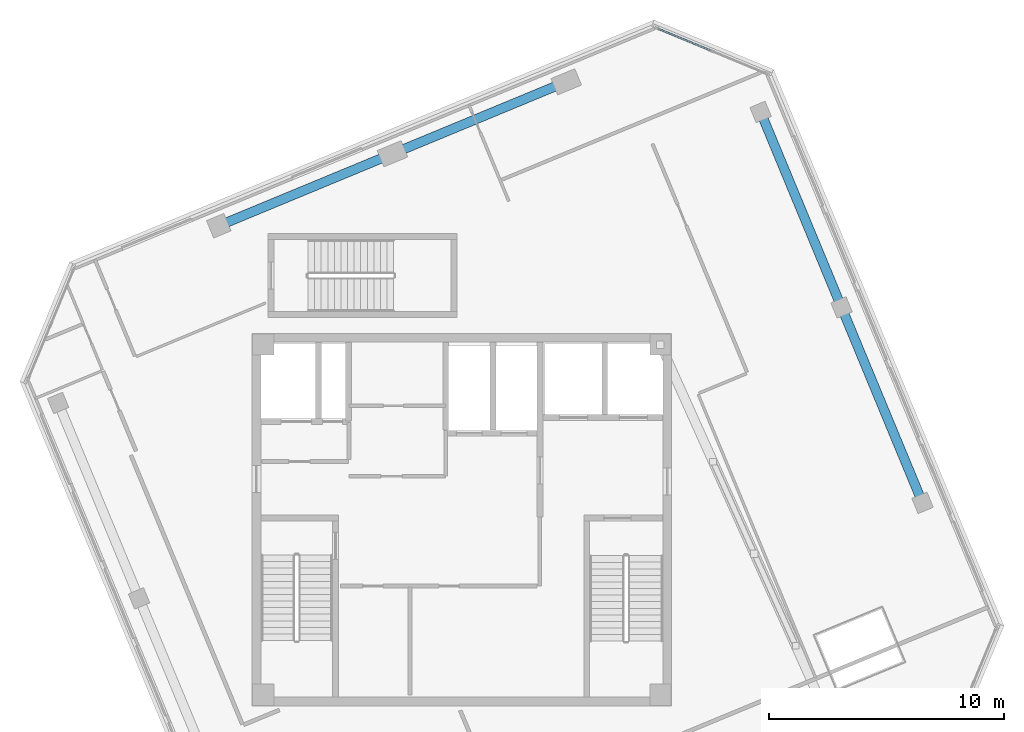
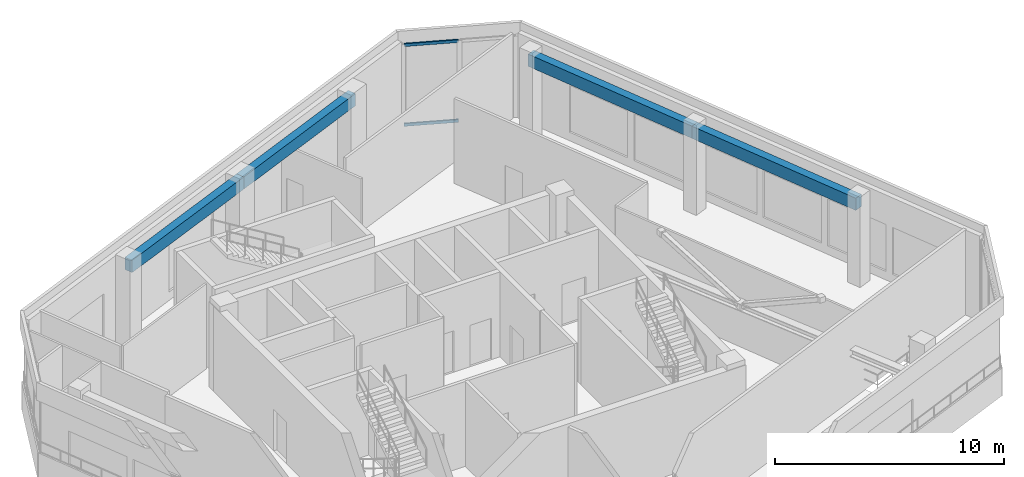
# One storey, part 6 of 17: 4 beams, 2 members, 1 element without a shape of its own.
"""IFC4 building model written with IfcOpenShell, lengths in metres."""

from ifc_helpers import new_model, si_unit, direction, frame, origin, origin_2d, place, context, subcontext, project, spatial, rectangle, hollow_rectangle, extrude, source, transform, mapped, material, material_profile, profile_set, type_object, element, aggregate, save


model = new_model("IFC4")

# Units and contexts
model_context = context("Model", 3, precision=1e-05, world=origin(), true_north=direction((0.0, 1.0)))
body_context = subcontext(model_context, "Body", "Model", "MODEL_VIEW")
ifc_project = project(units=[si_unit("LENGTHUNIT", "METRE"), si_unit("AREAUNIT", "SQUARE_METRE"), si_unit("VOLUMEUNIT", "CUBIC_METRE"), si_unit("PLANEANGLEUNIT", "RADIAN"), si_unit("MASSUNIT", "GRAM", prefix="KILO")], contexts=[model_context])

# Site, building, storey
site_placement = place(None, origin())
site = spatial("IfcSite", under=ifc_project, at=site_placement, CompositionType="ELEMENT")
building_placement = place(site_placement, origin())
building = spatial("IfcBuilding", under=site, at=building_placement, Name="Torre Montelarca", CompositionType="ELEMENT")
storey_placement = place(building_placement, frame((0.0, 0.0, 355.199951171875)))
storey = spatial("IfcBuildingStorey", under=building, at=storey_placement, Name="L80", CompositionType="ELEMENT", Elevation=355.199951171875)

# Beams
ifc_material_1 = material(Name="Concrete C40/50", Category="concrete")
ifc_material_profile_1 = material_profile(ifc_material_1, rectangle(XDim=0.39990234375, YDim=0.64990234375, at=origin_2d()), Name="RCB400X650", Category="concrete")
ifc_profile_set_1 = profile_set([ifc_material_profile_1], Name="Concrete C40/50")
beam_type = type_object("IfcBeamType", Name="BM-SP-RC650-EXT", PredefinedType="SPANDREL", material=ifc_profile_set_1)
shared_shape_1 = source(origin(), body_context, "Body", "SweptSolid", [
    extrude(rectangle(XDim=0.39990234375, YDim=0.64990234375, at=origin_2d()), origin(), (0.0, 0.0, 1.0), 9.0),
])
for number, where, z_axis, x_axis, name in (
    (1, (30.713134765625, 49.34619140625, 4.195068359375), (0.382699975578, -0.923872679915, 0.0), (0.923872679915, 0.382699975578, 0.0), "L80 Grid Girder X 9.0-18.0 at Y=47.1"),
    (2, (34.157470703125, 41.03125, 4.195068359375), (0.382676821686, -0.923882270716, 0.0), (0.923882270716, 0.382676821686, 0.0), "L80 Grid Girder X 18.0-27.0 at Y=47.1"),
):
    element("IfcBeam", number, at=place(storey_placement, frame(where, z_axis=z_axis, x_axis=x_axis)), inside=storey, type_object=beam_type, Name=name, PredefinedType="SPANDREL", context=body_context, shape_type="MappedRepresentation", body=[
        mapped(shared_shape_1, transform((0.0, 0.0, 0.0), scale=1.0)),
    ])
shared_shape_2 = source(origin(), body_context, "Body", "SweptSolid", [
    extrude(rectangle(XDim=0.39990234375, YDim=0.64990234375, at=origin_2d()), origin(), (0.0, 0.0, 1.0), 8.0),
])
for number, where, z_axis, x_axis, name in (
    (3, (7.66064453125, 44.505859375, 4.195068359375), (0.923878468529, 0.382686001036, 0.0), (-0.382686001036, 0.923878468529, 0.0), "L80 Grid Girder Y 24.0-32.0 at X=4.7"),
    (4, (15.0517578125, 47.5673828125, 4.195068359375), (0.923878468529, 0.382686001036, 0.0), (-0.382686001036, 0.923878468529, 0.0), "L80 Grid Girder Y 32.0-40.0 at X=4.7"),
):
    element("IfcBeam", number, at=place(storey_placement, frame(where, z_axis=z_axis, x_axis=x_axis)), inside=storey, type_object=beam_type, Name=name, PredefinedType="SPANDREL", context=body_context, shape_type="MappedRepresentation", body=[
        mapped(shared_shape_2, transform((0.0, 0.0, 0.0), scale=1.0)),
    ])

# Curtain wall, members
ifc_material_2 = material(Name="Amber translucent laminated glass", Category="glass")
curtain_wall_type = type_object("IfcCurtainWallType", Name="CW-SYS-LANT", PredefinedType="USERDEFINED", material=ifc_material_2)
curtain_wall_placement = place(storey_placement, origin())
curtain_wall = element("IfcCurtainWall", 5, at=curtain_wall_placement, inside=storey, type_object=curtain_wall_type, Name="L80 Curtain Wall Run CW-T3-L80-E09-B1", ObjectType="TRANSLUCENT LANTERN", PredefinedType="USERDEFINED")
ifc_material_3 = material(Name="Anodised aluminium AA 6063-T6", Category="aluminium")
ifc_material_profile_2 = material_profile(ifc_material_3, hollow_rectangle(XDim=0.074951171875, YDim=0.159912109375, WallThickness=0.0048828125, InnerFilletRadius=0.0048828125, OuterFilletRadius=0.010009765625, at=origin_2d()), Name="ALU75X160X5", Category="aluminium")
ifc_profile_set_2 = profile_set([ifc_material_profile_2], Name="Anodised aluminium AA 6063-T6")
member_type = type_object("IfcMemberType", Name="CWT-ALU160", PredefinedType="USERDEFINED", material=ifc_profile_set_2)
shared_shape_3 = source(origin(), body_context, "Body", "SweptSolid", [
    extrude(hollow_rectangle(XDim=0.074951171875, YDim=0.159912109375, WallThickness=0.0048828125, InnerFilletRadius=0.0048828125, OuterFilletRadius=0.010009765625, at=origin_2d()), origin(), (0.0, 0.0, 1.0), 2.401123046875),
])
member_1_placement = place(storey_placement, frame((28.578369140625, 51.96484375, 0.03759765625), z_axis=(-0.92386315418, 0.382722970761, 0.0), x_axis=(-0.382722970761, -0.92386315418, 0.0)))
member_1 = element("IfcMember", 6, at=member_1_placement, type_object=member_type, Name="CW transom 2.1", ObjectType="TRANSOM", PredefinedType="USERDEFINED", context=body_context, shape_type="MappedRepresentation", body=[
    mapped(shared_shape_3, transform((0.0, 0.0, 0.0), scale=1.0)),
])
member_2_placement = place(storey_placement, frame((28.578369140625, 51.96484375, 4.282470703125), z_axis=(-0.92386315418, 0.382722970761, 0.0), x_axis=(-0.382722970761, -0.92386315418, 0.0)))
member_2 = element("IfcMember", 7, at=member_2_placement, type_object=member_type, Name="CW transom 2.2", ObjectType="TRANSOM", PredefinedType="USERDEFINED", context=body_context, shape_type="MappedRepresentation", body=[
    mapped(shared_shape_3, transform((0.0, 0.0, 0.0), scale=1.0)),
])
aggregate(curtain_wall, [member_1, member_2])

save(model, "model.ifc")
